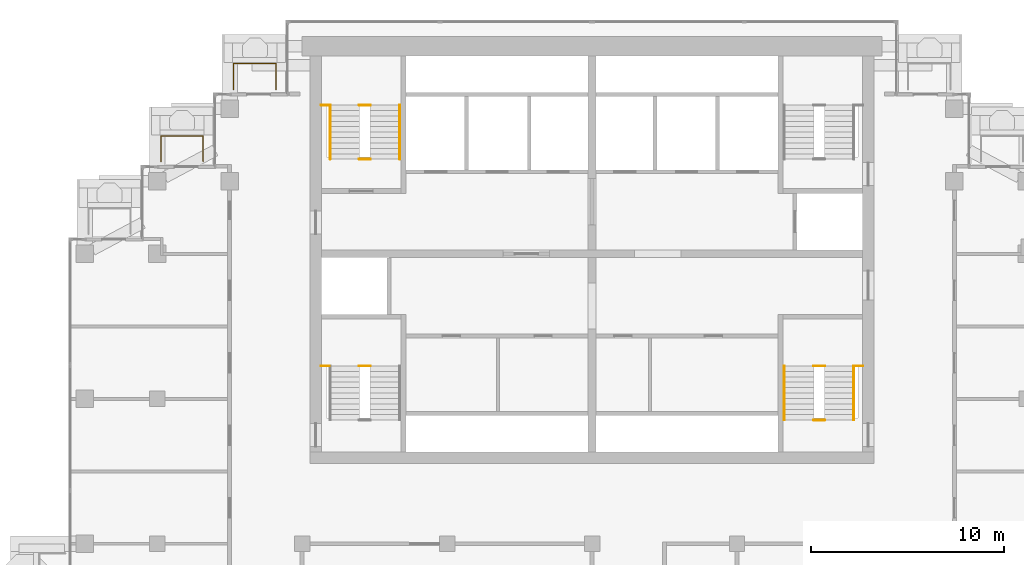
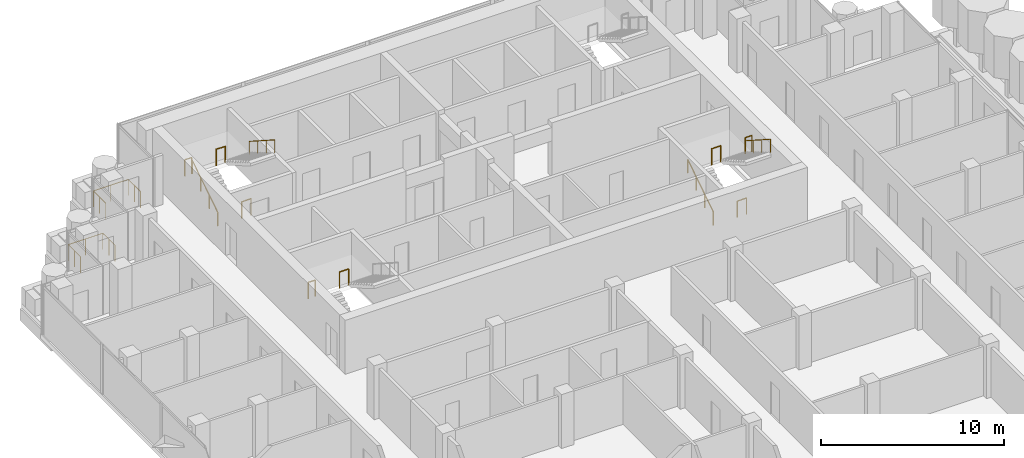
# One storey, part 17 of 19: 14 railings.
"""IFC4 building model written with IfcOpenShell, lengths in metres."""

from ifc_helpers import new_model, si_unit, direction, frame, origin, origin_2d, place, context, subcontext, project, spatial, circle, extrude, material, type_object, element, save


model = new_model("IFC4")

# Units and contexts
model_context = context("Model", 3, precision=1e-05, world=origin(), true_north=direction((0.0, 1.0)))
body_context = subcontext(model_context, "Body", "Model", "MODEL_VIEW")
ifc_project = project(units=[si_unit("LENGTHUNIT", "METRE"), si_unit("AREAUNIT", "SQUARE_METRE"), si_unit("VOLUMEUNIT", "CUBIC_METRE"), si_unit("PLANEANGLEUNIT", "RADIAN"), si_unit("MASSUNIT", "GRAM", prefix="KILO")], contexts=[model_context])

# Site, building, storey
site_placement = place(None, origin())
site = spatial("IfcSite", under=ifc_project, at=site_placement, CompositionType="ELEMENT")
building_placement = place(site_placement, origin())
building = spatial("IfcBuilding", under=site, at=building_placement, Name="Pilkhan Gate Tower", CompositionType="ELEMENT")
storey_placement = place(building_placement, frame((0.0, 0.0, 246.300048828125)))
storey = spatial("IfcBuildingStorey", under=building, at=storey_placement, Name="L64", CompositionType="ELEMENT", Elevation=246.300048828125)

# Railings
ifc_material_1 = material(Name="Pale anodised aluminium posts, laminated glass infill", Category="aluminium")
railing_type_1 = type_object("IfcRailingType", Name="Balcony guard G1", PredefinedType="BALUSTRADE", material=ifc_material_1)
railing_1_placement = place(storey_placement, frame((56.449951171875, 91.0, 0.0)))
element("IfcRailing", 1, at=railing_1_placement, inside=storey, type_object=railing_type_1, Name="Balcony guard L64 N", PredefinedType="BALUSTRADE", context=body_context, shape_type="SweptSolid", body=[
    extrude(circle(Radius=0.02392578125, at=origin_2d()), frame((0.0, 0.0, 1.076171875), z_axis=(0.0, 1.0, 0.0), x_axis=(-1.0, 0.0, 0.0)), (0.0, 0.0, 1.0), 1.35009765625),
    extrude(circle(Radius=0.02392578125, at=origin_2d()), frame((0.0, 1.35009765625, 1.076171875), z_axis=(1.0, 0.0, 0.0), x_axis=(0.0, 1.0, 0.0)), (0.0, 0.0, 1.0), 2.199951171875),
    extrude(circle(Radius=0.02392578125, at=origin_2d()), frame((2.199951171875, 1.35009765625, 1.076171875), z_axis=(0.0, -1.0, 0.0), x_axis=(1.0, 0.0, 0.0)), (0.0, 0.0, 1.0), 1.35009765625),
    extrude(circle(Radius=0.02099609375, at=origin_2d()), origin(), (0.0, 0.0, 1.0), 1.052001953125),
    extrude(circle(Radius=0.02099609375, at=origin_2d()), frame((0.0, 0.675048828125, 0.0)), (0.0, 0.0, 1.0), 1.052001953125),
    extrude(circle(Radius=0.02099609375, at=origin_2d()), frame((0.0, 1.35009765625, 0.0)), (0.0, 0.0, 1.0), 1.052001953125),
    extrude(circle(Radius=0.02099609375, at=origin_2d()), frame((1.10009765625, 1.35009765625, 0.0)), (0.0, 0.0, 1.0), 1.052001953125),
    extrude(circle(Radius=0.02099609375, at=origin_2d()), frame((2.199951171875, 1.35009765625, 0.0)), (0.0, 0.0, 1.0), 1.052001953125),
    extrude(circle(Radius=0.02099609375, at=origin_2d()), frame((2.199951171875, 0.675048828125, 0.0)), (0.0, 0.0, 1.0), 1.052001953125),
    extrude(circle(Radius=0.02099609375, at=origin_2d()), frame((2.199951171875, 0.0, 0.0)), (0.0, 0.0, 1.0), 1.052001953125),
])
railing_2_placement = place(storey_placement, frame((52.699951171875, 87.27001953125, 0.0)))
element("IfcRailing", 2, at=railing_2_placement, inside=storey, type_object=railing_type_1, Name="Balcony guard L64 N", PredefinedType="BALUSTRADE", context=body_context, shape_type="SweptSolid", body=[
    extrude(circle(Radius=0.02392578125, at=origin_2d()), frame((0.0, 0.0, 1.076171875), z_axis=(0.0, 1.0, 0.0), x_axis=(-1.0, 0.0, 0.0)), (0.0, 0.0, 1.0), 1.330078125),
    extrude(circle(Radius=0.02392578125, at=origin_2d()), frame((0.0, 1.330078125, 1.076171875), z_axis=(1.0, 0.0, 0.0), x_axis=(0.0, 1.0, 0.0)), (0.0, 0.0, 1.0), 2.179931640625),
    extrude(circle(Radius=0.02392578125, at=origin_2d()), frame((2.179931640625, 1.330078125, 1.076171875), z_axis=(0.0, -1.0, 0.0), x_axis=(1.0, 0.0, 0.0)), (0.0, 0.0, 1.0), 1.330078125),
    extrude(circle(Radius=0.02099609375, at=origin_2d()), origin(), (0.0, 0.0, 1.0), 1.052001953125),
    extrude(circle(Radius=0.02099609375, at=origin_2d()), frame((0.0, 0.6650390625, 0.0)), (0.0, 0.0, 1.0), 1.052001953125),
    extrude(circle(Radius=0.02099609375, at=origin_2d()), frame((0.0, 1.330078125, 0.0)), (0.0, 0.0, 1.0), 1.052001953125),
    extrude(circle(Radius=0.02099609375, at=origin_2d()), frame((1.08984375, 1.330078125, 0.0)), (0.0, 0.0, 1.0), 1.052001953125),
    extrude(circle(Radius=0.02099609375, at=origin_2d()), frame((2.179931640625, 1.330078125, 0.0)), (0.0, 0.0, 1.0), 1.052001953125),
    extrude(circle(Radius=0.02099609375, at=origin_2d()), frame((2.179931640625, 0.6650390625, 0.0)), (0.0, 0.0, 1.0), 1.052001953125),
    extrude(circle(Radius=0.02099609375, at=origin_2d()), frame((2.179931640625, 0.0, 0.0)), (0.0, 0.0, 1.0), 1.052001953125),
])
ifc_material_2 = material(Name="Black powder-coated steel tube", Category="steel")
railing_type_2 = type_object("IfcRailingType", Name="Stair handrail HR1", PredefinedType="HANDRAIL", material=ifc_material_2)
railing_3_placement = place(storey_placement, frame((84.949951171875, 73.89990234375, 0.0)))
element("IfcRailing", 3, at=railing_3_placement, inside=storey, type_object=railing_type_2, Name="Stair ST1 handrail L64", PredefinedType="HANDRAIL", context=body_context, shape_type="SweptSolid", body=[
    extrude(circle(Radius=0.02392578125, at=origin_2d()), frame((0.0, 0.0, 0.8759765625), z_axis=(0.0, 0.841176092368, 0.540761298198), x_axis=(-1.0, 0.0, 0.0)), (0.0, 0.0, 1.0), 3.32861328125),
    extrude(circle(Radius=0.02099609375, at=origin_2d()), origin(), (0.0, 0.0, 1.0), 0.851806640625),
    extrude(circle(Radius=0.02099609375, at=origin_2d()), frame((0.0, 0.933349609375, 0.60009765625)), (0.0, 0.0, 1.0), 0.851806640625),
    extrude(circle(Radius=0.02099609375, at=origin_2d()), frame((0.0, 1.86669921875, 1.199951171875)), (0.0, 0.0, 1.0), 0.851806640625),
    extrude(circle(Radius=0.02099609375, at=origin_2d()), frame((0.0, 2.800048828125, 1.800048828125)), (0.0, 0.0, 1.0), 0.851806640625),
])
railing_4_placement = place(storey_placement, frame((88.550048828125, 76.699951171875, 1.800048828125)))
element("IfcRailing", 4, at=railing_4_placement, inside=storey, type_object=railing_type_2, Name="Stair ST1 handrail L64", PredefinedType="HANDRAIL", context=body_context, shape_type="SweptSolid", body=[
    extrude(circle(Radius=0.02392578125, at=origin_2d()), frame((0.0, 0.0, 0.8759765625), z_axis=(0.0, -0.841209454229, 0.540709398952), x_axis=(1.0, 0.0, 0.0)), (0.0, 0.0, 1.0), 3.32861328125),
    extrude(circle(Radius=0.02099609375, at=origin_2d()), origin(), (0.0, 0.0, 1.0), 0.851806640625),
    extrude(circle(Radius=0.02099609375, at=origin_2d()), frame((0.0, -0.933349609375, 0.599853515625)), (0.0, 0.0, 1.0), 0.851806640625),
    extrude(circle(Radius=0.02099609375, at=origin_2d()), frame((0.0, -1.86669921875, 1.199951171875)), (0.0, 0.0, 1.0), 0.851806640625),
    extrude(circle(Radius=0.02099609375, at=origin_2d()), frame((0.0, -2.800048828125, 1.7998046875)), (0.0, 0.0, 1.0), 0.851806640625),
])
railing_5_placement = place(storey_placement, frame((61.449951171875, 87.39990234375, 0.0)))
element("IfcRailing", 5, at=railing_5_placement, inside=storey, type_object=railing_type_2, Name="Stair ST3 handrail L64", PredefinedType="HANDRAIL", context=body_context, shape_type="SweptSolid", body=[
    extrude(circle(Radius=0.02392578125, at=origin_2d()), frame((0.0, 0.0, 0.8759765625), z_axis=(0.0, 0.841176092368, 0.540761298198), x_axis=(-1.0, 0.0, 0.0)), (0.0, 0.0, 1.0), 3.32861328125),
    extrude(circle(Radius=0.02099609375, at=origin_2d()), origin(), (0.0, 0.0, 1.0), 0.851806640625),
    extrude(circle(Radius=0.02099609375, at=origin_2d()), frame((0.0, 0.933349609375, 0.60009765625)), (0.0, 0.0, 1.0), 0.851806640625),
    extrude(circle(Radius=0.02099609375, at=origin_2d()), frame((0.0, 1.86669921875, 1.199951171875)), (0.0, 0.0, 1.0), 0.851806640625),
    extrude(circle(Radius=0.02099609375, at=origin_2d()), frame((0.0, 2.800048828125, 1.800048828125)), (0.0, 0.0, 1.0), 0.851806640625),
])
railing_6_placement = place(storey_placement, frame((65.050048828125, 90.199951171875, 1.800048828125)))
element("IfcRailing", 6, at=railing_6_placement, inside=storey, type_object=railing_type_2, Name="Stair ST3 handrail L64", PredefinedType="HANDRAIL", context=body_context, shape_type="SweptSolid", body=[
    extrude(circle(Radius=0.02392578125, at=origin_2d()), frame((0.0, 0.0, 0.8759765625), z_axis=(0.0, -0.841209454229, 0.540709398952), x_axis=(1.0, 0.0, 0.0)), (0.0, 0.0, 1.0), 3.32861328125),
    extrude(circle(Radius=0.02099609375, at=origin_2d()), origin(), (0.0, 0.0, 1.0), 0.851806640625),
    extrude(circle(Radius=0.02099609375, at=origin_2d()), frame((0.0, -0.933349609375, 0.599853515625)), (0.0, 0.0, 1.0), 0.851806640625),
    extrude(circle(Radius=0.02099609375, at=origin_2d()), frame((0.0, -1.86669921875, 1.199951171875)), (0.0, 0.0, 1.0), 0.851806640625),
    extrude(circle(Radius=0.02099609375, at=origin_2d()), frame((0.0, -2.800048828125, 1.7998046875)), (0.0, 0.0, 1.0), 0.851806640625),
])
ifc_material_3 = material(Name="Black powder-coated steel balusters", Category="steel")
railing_type_3 = type_object("IfcRailingType", Name="Stair well guard G3", PredefinedType="GUARDRAIL", material=ifc_material_3)
railing_7_placement = place(storey_placement, frame((88.580078125, 76.699951171875, 1.800048828125)))
element("IfcRailing", 7, at=railing_7_placement, inside=storey, type_object=railing_type_3, Name="Stair ST1 well guard L64", PredefinedType="GUARDRAIL", context=body_context, shape_type="SweptSolid", body=[
    extrude(circle(Radius=0.02392578125, at=origin_2d()), frame((0.0, 0.0, 1.076171875), z_axis=(1.0, 0.0, 0.0), x_axis=(0.0, 1.0, 0.0)), (0.0, 0.0, 1.0), 0.43994140625),
    extrude(circle(Radius=0.02099609375, at=origin_2d()), origin(), (0.0, 0.0, 1.0), 1.052001953125),
    extrude(circle(Radius=0.02099609375, at=origin_2d()), frame((0.43994140625, 0.0, 0.0)), (0.0, 0.0, 1.0), 1.052001953125),
])
for number, where, name in (
    (8, (86.4599609375, 73.89990234375, 0.0), "Stair ST1 well guard L64"),
    (9, (86.4599609375, 76.699951171875, 1.800048828125), "Stair ST1 well guard L64"),
):
    element("IfcRailing", number, at=place(storey_placement, frame(where)), inside=storey, type_object=railing_type_3, Name=name, PredefinedType="GUARDRAIL", context=body_context, shape_type="SweptSolid", body=[
        extrude(circle(Radius=0.02392578125, at=origin_2d()), frame((0.0, 0.0, 1.076171875), z_axis=(1.0, 0.0, 0.0), x_axis=(0.0, 1.0, 0.0)), (0.0, 0.0, 1.0), 0.580078125),
        extrude(circle(Radius=0.02099609375, at=origin_2d()), origin(), (0.0, 0.0, 1.0), 1.052001953125),
        extrude(circle(Radius=0.02099609375, at=origin_2d()), frame((0.580078125, 0.0, 0.0)), (0.0, 0.0, 1.0), 1.052001953125),
    ])
railing_8_placement = place(storey_placement, frame((60.97998046875, 76.699951171875, 1.800048828125)))
element("IfcRailing", 10, at=railing_8_placement, inside=storey, type_object=railing_type_3, Name="Stair ST2 well guard L64", PredefinedType="GUARDRAIL", context=body_context, shape_type="SweptSolid", body=[
    extrude(circle(Radius=0.02392578125, at=origin_2d()), frame((0.0, 0.0, 1.076171875), z_axis=(1.0, 0.0, 0.0), x_axis=(0.0, 1.0, 0.0)), (0.0, 0.0, 1.0), 0.43994140625),
    extrude(circle(Radius=0.02099609375, at=origin_2d()), origin(), (0.0, 0.0, 1.0), 1.052001953125),
    extrude(circle(Radius=0.02099609375, at=origin_2d()), frame((0.43994140625, 0.0, 0.0)), (0.0, 0.0, 1.0), 1.052001953125),
])
railing_9_placement = place(storey_placement, frame((62.9599609375, 76.699951171875, 1.800048828125)))
element("IfcRailing", 11, at=railing_9_placement, inside=storey, type_object=railing_type_3, Name="Stair ST2 well guard L64", PredefinedType="GUARDRAIL", context=body_context, shape_type="SweptSolid", body=[
    extrude(circle(Radius=0.02392578125, at=origin_2d()), frame((0.0, 0.0, 1.076171875), z_axis=(1.0, 0.0, 0.0), x_axis=(0.0, 1.0, 0.0)), (0.0, 0.0, 1.0), 0.580078125),
    extrude(circle(Radius=0.02099609375, at=origin_2d()), origin(), (0.0, 0.0, 1.0), 1.052001953125),
    extrude(circle(Radius=0.02099609375, at=origin_2d()), frame((0.580078125, 0.0, 0.0)), (0.0, 0.0, 1.0), 1.052001953125),
])
railing_10_placement = place(storey_placement, frame((60.97998046875, 90.199951171875, 1.800048828125)))
element("IfcRailing", 12, at=railing_10_placement, inside=storey, type_object=railing_type_3, Name="Stair ST3 well guard L64", PredefinedType="GUARDRAIL", context=body_context, shape_type="SweptSolid", body=[
    extrude(circle(Radius=0.02392578125, at=origin_2d()), frame((0.0, 0.0, 1.076171875), z_axis=(1.0, 0.0, 0.0), x_axis=(0.0, 1.0, 0.0)), (0.0, 0.0, 1.0), 0.43994140625),
    extrude(circle(Radius=0.02099609375, at=origin_2d()), origin(), (0.0, 0.0, 1.0), 1.052001953125),
    extrude(circle(Radius=0.02099609375, at=origin_2d()), frame((0.43994140625, 0.0, 0.0)), (0.0, 0.0, 1.0), 1.052001953125),
])
for number, where, name in (
    (13, (62.9599609375, 87.39990234375, 0.0), "Stair ST3 well guard L64"),
    (14, (62.9599609375, 90.199951171875, 1.800048828125), "Stair ST3 well guard L64"),
):
    element("IfcRailing", number, at=place(storey_placement, frame(where)), inside=storey, type_object=railing_type_3, Name=name, PredefinedType="GUARDRAIL", context=body_context, shape_type="SweptSolid", body=[
        extrude(circle(Radius=0.02392578125, at=origin_2d()), frame((0.0, 0.0, 1.076171875), z_axis=(1.0, 0.0, 0.0), x_axis=(0.0, 1.0, 0.0)), (0.0, 0.0, 1.0), 0.580078125),
        extrude(circle(Radius=0.02099609375, at=origin_2d()), origin(), (0.0, 0.0, 1.0), 1.052001953125),
        extrude(circle(Radius=0.02099609375, at=origin_2d()), frame((0.580078125, 0.0, 0.0)), (0.0, 0.0, 1.0), 1.052001953125),
    ])

save(model, "model.ifc")
